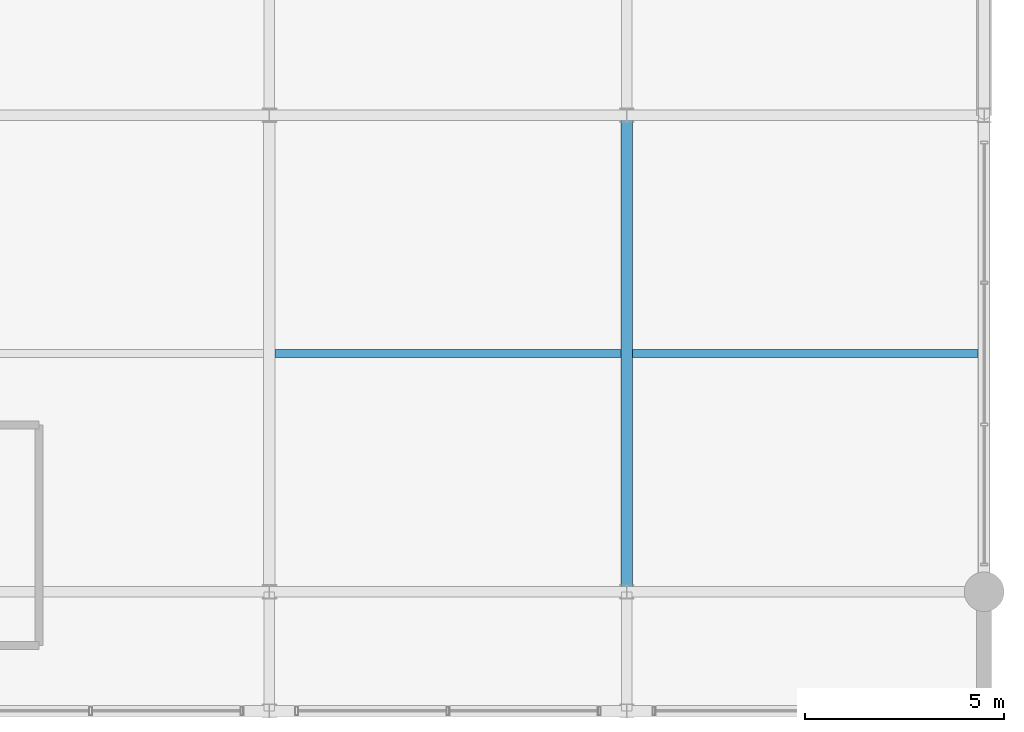
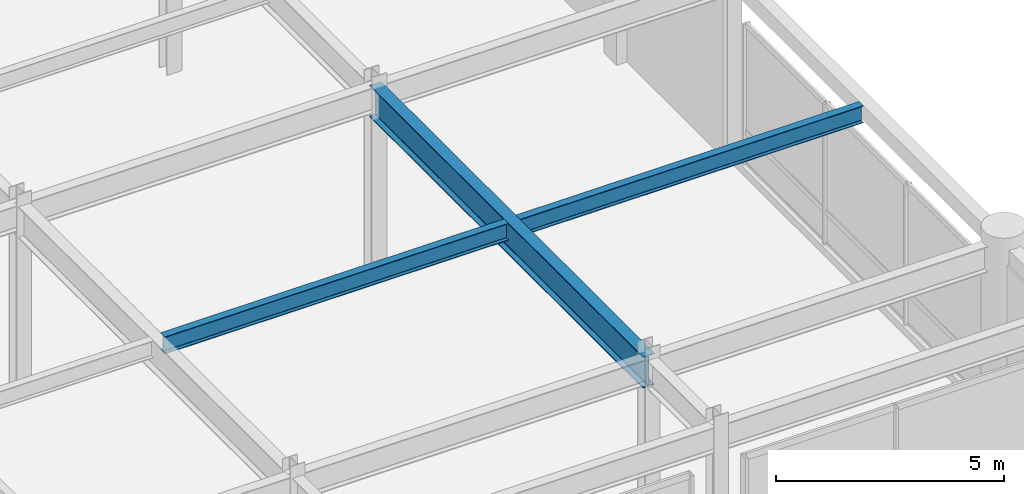
# One storey, part 65 of 100: 3 beams.
"""IFC4 building model written with IfcOpenShell, lengths in metres."""

from ifc_helpers import new_model, si_unit, direction, frame, origin, origin_2d, place, context, subcontext, project, spatial, i_section, extrude, material, material_profile, profile_set, type_object, element, save


model = new_model("IFC4")

# Units and contexts
model_context = context("Model", 3, precision=1e-05, world=origin(), true_north=direction((0.0, 1.0)))
body_context = subcontext(model_context, "Body", "Model", "MODEL_VIEW")
ifc_project = project(units=[si_unit("LENGTHUNIT", "METRE"), si_unit("AREAUNIT", "SQUARE_METRE"), si_unit("VOLUMEUNIT", "CUBIC_METRE"), si_unit("PLANEANGLEUNIT", "RADIAN"), si_unit("MASSUNIT", "GRAM", prefix="KILO")], contexts=[model_context])

# Site, building, storey
site_placement = place(None, origin())
site = spatial("IfcSite", under=ifc_project, at=site_placement, CompositionType="ELEMENT")
building_placement = place(site_placement, origin())
building = spatial("IfcBuilding", under=site, at=building_placement, Name="Kaldorvane Square Convention Centre", CompositionType="ELEMENT")
storey_placement = place(building_placement, frame((0.0, 0.0, 18.0)))
storey = spatial("IfcBuildingStorey", under=building, at=storey_placement, Name="L03", CompositionType="ELEMENT", Elevation=18.0)

# Beams
ifc_material = material(Name="Steel ASTM A992 Gr. 50", Category="steel")
ifc_material_profile_1 = material_profile(ifc_material, i_section(OverallWidth=0.292999267578125, OverallDepth=0.845794677734375, WebThickness=0.0153961181640625, FlangeThickness=0.0243988037109375, FilletRadius=0.0178070068359375, at=origin_2d()), Name="W33X141")
ifc_profile_set_1 = profile_set([ifc_material_profile_1], Name="Steel ASTM A992 Gr. 50")
beam_type_1 = type_object("IfcBeamType", Name="BM-GR-W33X141", PredefinedType="BEAM", material=ifc_profile_set_1)
beam_1_placement = place(storey_placement, frame((165.0, 84.0, 4.653106689453125), z_axis=(0.0, 1.0, 0.0), x_axis=(-1.0, 0.0, 0.0)))
element("IfcBeam", 1, at=beam_1_placement, inside=storey, type_object=beam_type_1, Name="Transverse Girder (L03)", PredefinedType="BEAM", context=body_context, shape_type="SweptSolid", body=[
    extrude(i_section(OverallWidth=0.292999267578125, OverallDepth=0.845794677734375, WebThickness=0.0153961181640625, FlangeThickness=0.0243988037109375, FilletRadius=0.0178070068359375, at=origin_2d()), origin(), (0.0, 0.0, 1.0), 12.0),
])
ifc_material_profile_2 = material_profile(ifc_material, i_section(OverallWidth=0.1912994384765625, OverallDepth=0.4600067138671875, WebThickness=0.0099029541015625, FlangeThickness=0.0160064697265625, FilletRadius=0.01019287109375, at=origin_2d()), Name="W18X55")
ifc_profile_set_2 = profile_set([ifc_material_profile_2], Name="Steel ASTM A992 Gr. 50")
beam_type_2 = type_object("IfcBeamType", Name="BM-JS-W18X55", PredefinedType="JOIST", material=ifc_profile_set_2)
beam_2_placement = place(storey_placement, frame((156.14649963378906, 90.0, 4.8459930419921875), z_axis=(1.0, 0.0, 0.0), x_axis=(0.0, 1.0, 0.0)))
element("IfcBeam", 2, at=beam_2_placement, inside=storey, type_object=beam_type_2, Name="Secondary Floor Joist (L03)", PredefinedType="JOIST", context=body_context, shape_type="SweptSolid", body=[
    extrude(i_section(OverallWidth=0.1912994384765625, OverallDepth=0.4600067138671875, WebThickness=0.0099029541015625, FlangeThickness=0.0160064697265625, FilletRadius=0.01019287109375, at=origin_2d()), origin(), (0.0, 0.0, 1.0), 8.707000732421875),
])
beam_3_placement = place(storey_placement, frame((165.14649963378906, 90.0, 4.8459930419921875), z_axis=(1.0, 0.0, 0.0), x_axis=(0.0, 1.0, 0.0)))
element("IfcBeam", 3, at=beam_3_placement, inside=storey, type_object=beam_type_2, Name="Secondary Floor Joist (L03)", PredefinedType="JOIST", context=body_context, shape_type="SweptSolid", body=[
    extrude(i_section(OverallWidth=0.1912994384765625, OverallDepth=0.4600067138671875, WebThickness=0.0099029541015625, FlangeThickness=0.0160064697265625, FilletRadius=0.01019287109375, at=origin_2d()), origin(), (0.0, 0.0, 1.0), 8.701095581054688),
])

save(model, "model.ifc")
